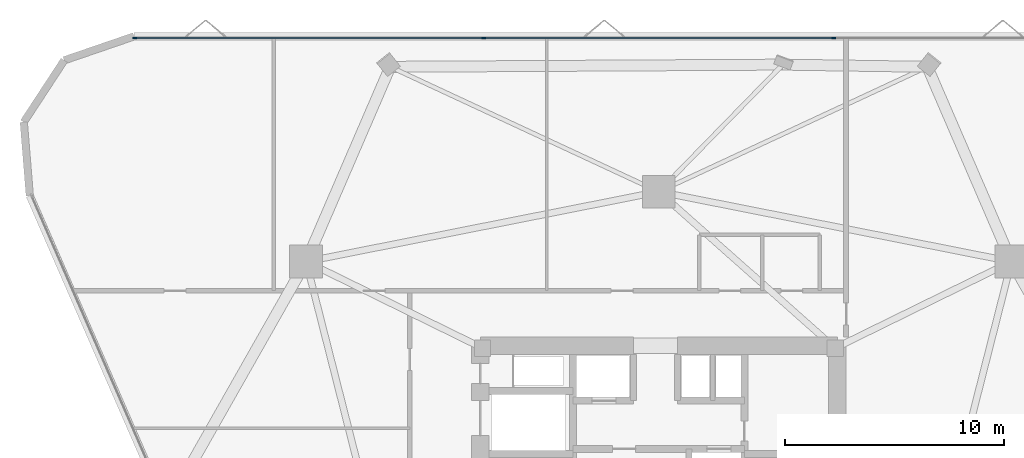
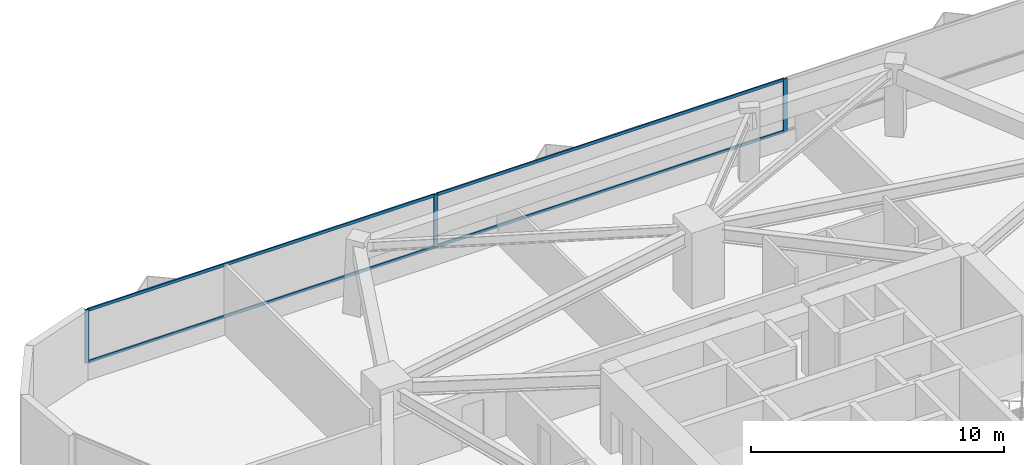
# One storey, part 8 of 14: 7 members, 1 element without a shape of its own.
"""IFC4 building model written with IfcOpenShell, lengths in metres."""

from ifc_helpers import new_model, si_unit, direction, frame, origin, origin_2d, place, context, subcontext, project, spatial, rectangle, extrude, material, layer, layer_set, material_profile, profile_set, type_object, element, aggregate, save


model = new_model("IFC4")

# Units and contexts
model_context = context("Model", 3, precision=1e-05, world=origin(), true_north=direction((0.0, 1.0)))
body_context = subcontext(model_context, "Body", "Model", "MODEL_VIEW")
ifc_project = project(units=[si_unit("LENGTHUNIT", "METRE"), si_unit("AREAUNIT", "SQUARE_METRE"), si_unit("VOLUMEUNIT", "CUBIC_METRE"), si_unit("PLANEANGLEUNIT", "RADIAN"), si_unit("MASSUNIT", "GRAM", prefix="KILO")], contexts=[model_context])

# Site, building, storey
site_placement = place(None, origin())
site = spatial("IfcSite", under=ifc_project, at=site_placement, CompositionType="ELEMENT")
building_placement = place(site_placement, origin())
building = spatial("IfcBuilding", under=site, at=building_placement, Name="Talyreon Biosciences Tower", CompositionType="ELEMENT")
storey_placement = place(building_placement, frame((0.0, 0.0, 141.800048828125)))
storey = spatial("IfcBuildingStorey", under=building, at=storey_placement, Name="L37", CompositionType="ELEMENT", Elevation=141.800048828125)

# Curtain wall, members
ifc_material_1 = material(Name="Thermally broken aluminium and low-E glazing", Category="aluminium")
ifc_layer = layer(ifc_material_1, 0.18505859375)
ifc_layer_set = layer_set([ifc_layer], Name="Thermally broken aluminium and low-E glazing")
curtain_wall_type = type_object("IfcCurtainWallType", Name="CurtainWall_Zone3Bioprocess", PredefinedType="NOTDEFINED", material=ifc_layer_set)
curtain_wall_placement = place(storey_placement, origin())
curtain_wall = element("IfcCurtainWall", 1, at=curtain_wall_placement, inside=storey, type_object=curtain_wall_type, Name="L37 Unitised Curtain Wall FCW-L37-04", PredefinedType="NOTDEFINED")
ifc_material_2 = material(Name="Anodised thermally broken aluminium", Category="aluminium")
ifc_material_profile_1 = material_profile(ifc_material_2, rectangle(XDim=0.06494140625, YDim=0.179931640625, at=origin_2d()), Name="ALUM MULLION 65x180")
ifc_profile_set_1 = profile_set([ifc_material_profile_1], Name="Anodised thermally broken aluminium")
member_type_1 = type_object("IfcMemberType", Name="CWMullion_65x180", PredefinedType="MULLION", material=ifc_profile_set_1)
member_1_placement = place(storey_placement, frame((42.07470703125, 88.80615234375, 0.81005859375), z_axis=(0.0, 0.0, 1.0), x_axis=(0.0, 1.0, 0.0)))
member_1 = element("IfcMember", 2, at=member_1_placement, type_object=member_type_1, Name="CW4 mullion 1", PredefinedType="MULLION", context=body_context, shape_type="SweptSolid", body=[
    extrude(rectangle(XDim=0.06494140625, YDim=0.179931640625, at=origin_2d()), origin(), (0.0, 0.0, 1.0), 2.56494140625),
])
member_2_placement = place(storey_placement, frame((58.01416015625, 88.80615234375, 0.81005859375), z_axis=(0.0, 0.0, 1.0), x_axis=(0.0, 1.0, 0.0)))
member_2 = element("IfcMember", 3, at=member_2_placement, type_object=member_type_1, Name="CW4 mullion 2", PredefinedType="MULLION", context=body_context, shape_type="SweptSolid", body=[
    extrude(rectangle(XDim=0.06494140625, YDim=0.179931640625, at=origin_2d()), origin(), (0.0, 0.0, 1.0), 2.56494140625),
])
member_3_placement = place(storey_placement, frame((73.98583984375, 88.80615234375, 0.81005859375), z_axis=(0.0, 0.0, 1.0), x_axis=(0.0, 1.0, 0.0)))
member_3 = element("IfcMember", 4, at=member_3_placement, type_object=member_type_1, Name="CW4 mullion 3", PredefinedType="MULLION", context=body_context, shape_type="SweptSolid", body=[
    extrude(rectangle(XDim=0.06494140625, YDim=0.179931640625, at=origin_2d()), origin(), (0.0, 0.0, 1.0), 2.56494140625),
])
ifc_material_profile_2 = material_profile(ifc_material_2, rectangle(XDim=0.06494140625, YDim=0.139892578125, at=origin_2d()), Name="ALUM TRANSOM 65x140")
ifc_profile_set_2 = profile_set([ifc_material_profile_2], Name="Anodised thermally broken aluminium")
member_type_2 = type_object("IfcMemberType", Name="CWTransom_65x140", PredefinedType="USERDEFINED", material=ifc_profile_set_2)
member_4_placement = place(storey_placement, frame((42.107421875, 88.80615234375, 0.842529296875), z_axis=(1.0, 0.0, 0.0), x_axis=(0.0, 1.0, 0.0)))
member_4 = element("IfcMember", 5, at=member_4_placement, type_object=member_type_2, Name="CW4 transom 1.1", ObjectType="TRANSOM", PredefinedType="USERDEFINED", context=body_context, shape_type="SweptSolid", body=[
    extrude(rectangle(XDim=0.06494140625, YDim=0.139892578125, at=origin_2d()), origin(), (0.0, 0.0, 1.0), 15.874267578125),
])
member_5_placement = place(storey_placement, frame((42.107421875, 88.80615234375, 3.342529296875), z_axis=(1.0, 0.0, 0.0), x_axis=(0.0, 1.0, 0.0)))
member_5 = element("IfcMember", 6, at=member_5_placement, type_object=member_type_2, Name="CW4 transom 1.2", ObjectType="TRANSOM", PredefinedType="USERDEFINED", context=body_context, shape_type="SweptSolid", body=[
    extrude(rectangle(XDim=0.06494140625, YDim=0.139892578125, at=origin_2d()), origin(), (0.0, 0.0, 1.0), 15.874267578125),
])
member_6_placement = place(storey_placement, frame((58.046630859375, 88.80615234375, 0.842529296875), z_axis=(1.0, 0.0, 0.0), x_axis=(0.0, 1.0, 0.0)))
member_6 = element("IfcMember", 7, at=member_6_placement, type_object=member_type_2, Name="CW4 transom 2.1", ObjectType="TRANSOM", PredefinedType="USERDEFINED", context=body_context, shape_type="SweptSolid", body=[
    extrude(rectangle(XDim=0.06494140625, YDim=0.139892578125, at=origin_2d()), origin(), (0.0, 0.0, 1.0), 15.90673828125),
])
member_7_placement = place(storey_placement, frame((58.046630859375, 88.80615234375, 3.342529296875), z_axis=(1.0, 0.0, 0.0), x_axis=(0.0, 1.0, 0.0)))
member_7 = element("IfcMember", 8, at=member_7_placement, type_object=member_type_2, Name="CW4 transom 2.2", ObjectType="TRANSOM", PredefinedType="USERDEFINED", context=body_context, shape_type="SweptSolid", body=[
    extrude(rectangle(XDim=0.06494140625, YDim=0.139892578125, at=origin_2d()), origin(), (0.0, 0.0, 1.0), 15.90673828125),
])
aggregate(curtain_wall, [member_1, member_2, member_3, member_4, member_5, member_6, member_7])

save(model, "model.ifc")
